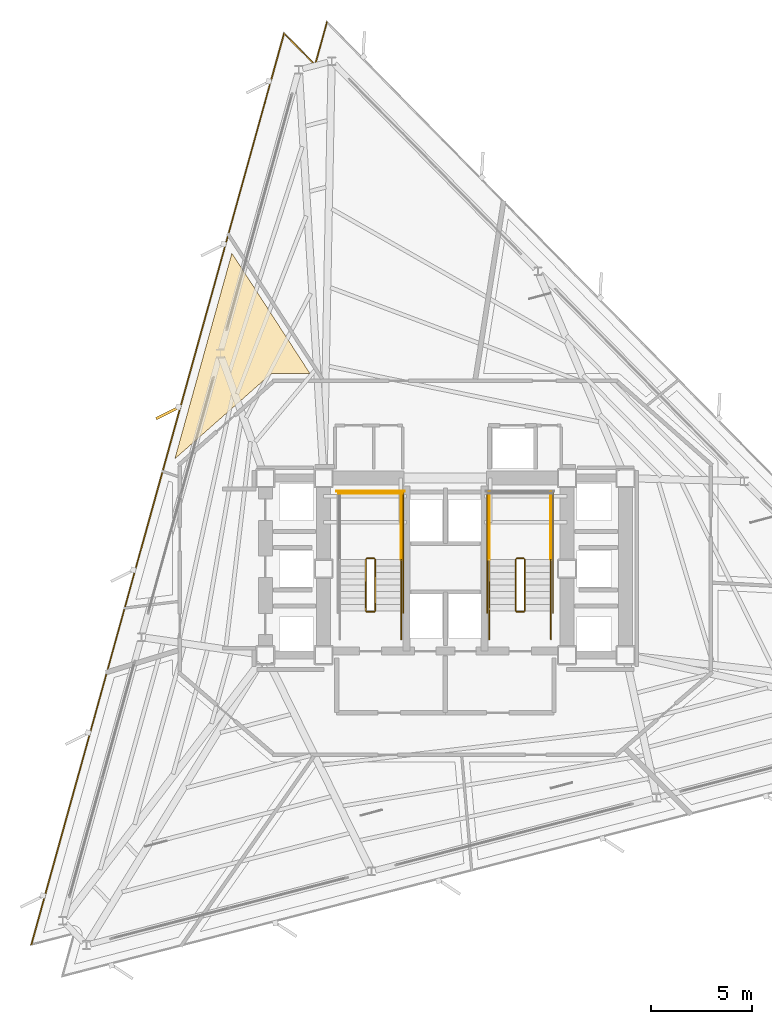
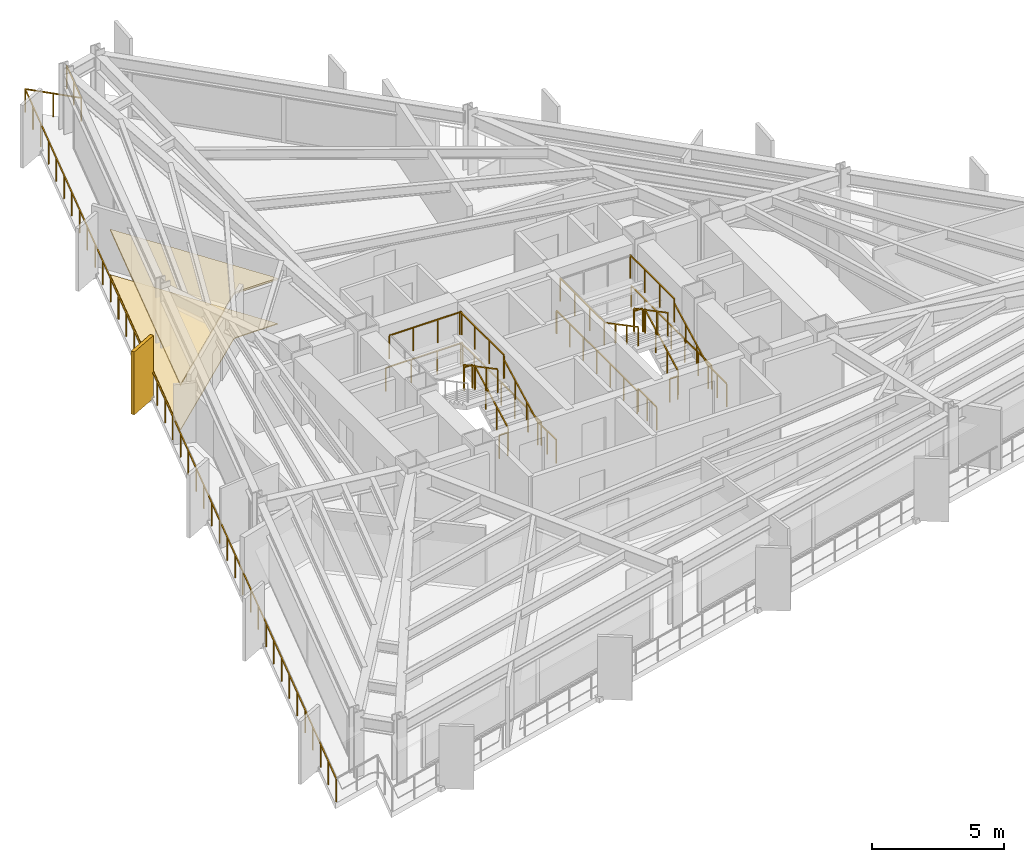
# One storey, part 10 of 11: 23 railings, 2 coverings, 1 shading device.
"""IFC4 building model written with IfcOpenShell, lengths in metres."""

from ifc_helpers import new_model, si_unit, direction, frame, origin, origin_2d, place, context, subcontext, project, spatial, polyline, rectangle, outline, extrude, material, layer, layer_set, type_object, element, save


model = new_model("IFC4")

# Units and contexts
model_context = context("Model", 3, precision=1e-05, world=origin(), true_north=direction((0.0, 1.0)))
body_context = subcontext(model_context, "Body", "Model", "MODEL_VIEW")
ifc_project = project(units=[si_unit("LENGTHUNIT", "METRE"), si_unit("AREAUNIT", "SQUARE_METRE"), si_unit("VOLUMEUNIT", "CUBIC_METRE"), si_unit("PLANEANGLEUNIT", "RADIAN"), si_unit("MASSUNIT", "GRAM", prefix="KILO")], contexts=[model_context])

# Site, building, storey
site_placement = place(None, origin())
site = spatial("IfcSite", under=ifc_project, at=site_placement, CompositionType="ELEMENT")
building_placement = place(site_placement, origin())
building = spatial("IfcBuilding", under=site, at=building_placement, Name="Rocaltana Carrier Exchange", CompositionType="ELEMENT")
storey_placement = place(building_placement, frame((0.0, 0.0, 94.719970703125)))
storey = spatial("IfcBuildingStorey", under=building, at=storey_placement, Name="L29", CompositionType="ELEMENT", Elevation=94.719970703125)

# Coverings
ifc_material_1 = material(Name="Honed Bogota Sandstone Tile", Category="masonry")
ifc_layer_1 = layer(ifc_material_1, 0.0400390625)
ifc_layer_set_1 = layer_set([ifc_layer_1], Name="Honed Bogota Sandstone Tile")
covering_type_1 = type_object("IfcCoveringType", Name="Honed Stone Lobby Flooring 40", PredefinedType="FLOORING", material=ifc_layer_set_1)
covering_1_placement = place(storey_placement, origin())
element("IfcCovering", 1, at=covering_1_placement, inside=storey, type_object=covering_type_1, Name="L29 Carrier Peering Suite Finish Floor", PredefinedType="FLOORING", context=body_context, shape_type="SweptSolid", body=[
    extrude(outline(polyline([(-13.4443359375, 5.464111328125), (-10.611572265625, 15.67919921875), (-6.735107421875, 9.7099609375), (-8.5, 9.7099609375), (-8.514404296875, 9.709716796875), (-8.522705078125, 9.709228515625), (-8.551513671875, 9.706298828125), (-8.5595703125, 9.704833984375), (-8.587890625, 9.698974609375), (-8.595947265625, 9.697021484375), (-8.62353515625, 9.68798828125), (-8.631103515625, 9.68505859375), (-8.65771484375, 9.673583984375), (-8.6650390625, 9.669921875), (-8.690185546875, 9.655517578125), (-8.697265625, 9.651123046875), (-8.720703125, 9.63427734375), (-8.727294921875, 9.629150390625), (-8.73828125, 9.619873046875), (-13.438232421875, 5.469970703125), (-13.4443359375, 5.464111328125)])), origin(), (0.0, 0.0, 1.0), 0.0400390625),
])
ifc_material_2 = material(Name="Anodised Aluminium 6063-T6", Category="aluminium")
ifc_layer_2 = layer(ifc_material_2, 0.0849609375)
ifc_layer_set_2 = layer_set([ifc_layer_2], Name="Anodised Aluminium 6063-T6")
covering_type_2 = type_object("IfcCoveringType", Name="Linear Baffle Acoustic Ceiling 85", PredefinedType="CEILING", material=ifc_layer_set_2)
covering_2_placement = place(storey_placement, frame((0.0, 0.0, 2.052978515625)))
element("IfcCovering", 2, at=covering_2_placement, inside=storey, type_object=covering_type_2, Name="L29 Carrier Peering Suite Acoustic Ceiling", PredefinedType="CEILING", context=body_context, shape_type="SweptSolid", body=[
    extrude(outline(polyline([(-13.4443359375, 5.464111328125), (-10.611572265625, 15.67919921875), (-6.735107421875, 9.7099609375), (-8.5, 9.7099609375), (-8.514404296875, 9.709716796875), (-8.522705078125, 9.709228515625), (-8.551513671875, 9.706298828125), (-8.5595703125, 9.704833984375), (-8.587890625, 9.698974609375), (-8.595947265625, 9.697021484375), (-8.62353515625, 9.68798828125), (-8.631103515625, 9.68505859375), (-8.65771484375, 9.673583984375), (-8.6650390625, 9.669921875), (-8.690185546875, 9.655517578125), (-8.697265625, 9.651123046875), (-8.720703125, 9.63427734375), (-8.727294921875, 9.629150390625), (-8.73828125, 9.619873046875), (-13.438232421875, 5.469970703125), (-13.4443359375, 5.464111328125)])), origin(), (0.0, 0.0, 1.0), 0.0849609375),
])

# Railings
ifc_material_3 = material(Name="Brushed Architectural Stainless Tube", Category="steel")
ifc_layer_3 = layer(ifc_material_3, 0.048095703125)
ifc_layer_set_3 = layer_set([ifc_layer_3], Name="Brushed Architectural Stainless Tube")
railing_type_1 = type_object("IfcRailingType", Name="Stair Wall Handrail 920", PredefinedType="HANDRAIL", material=ifc_layer_set_3)
for number, where, name in (
    (3, (-2.18994140625, -2.10009765625, 0.1689453125), "L29 ST-1 stair handrail 1"),
    (4, (5.25, -2.10009765625, 0.1689453125), "L29 ST-2 stair handrail 1"),
):
    element("IfcRailing", number, at=place(storey_placement, frame(where)), inside=storey, type_object=railing_type_1, Name=name, PredefinedType="HANDRAIL", context=body_context, shape_type="SweptSolid", body=[
        extrude(rectangle(XDim=0.048095703125, YDim=0.048095703125, at=origin_2d()), frame((0.0, 0.0, 0.8759765625), z_axis=(0.0, 0.884394423565, 0.466740295633), x_axis=(-1.0, 0.0, 0.0)), (0.0, 0.0, 1.0), 2.894775390625),
        extrude(rectangle(XDim=0.0419921875, YDim=0.0419921875, at=origin_2d()), origin(), (0.0, 0.0, 1.0), 0.851806640625),
        extrude(rectangle(XDim=0.0419921875, YDim=0.0419921875, at=origin_2d()), frame((0.0, 0.853271484375, 0.450439453125)), (0.0, 0.0, 1.0), 0.851806640625),
        extrude(rectangle(XDim=0.0419921875, YDim=0.0419921875, at=origin_2d()), frame((0.0, 1.706787109375, 0.900634765625)), (0.0, 0.0, 1.0), 0.851806640625),
        extrude(rectangle(XDim=0.0419921875, YDim=0.0419921875, at=origin_2d()), frame((0.0, 2.56005859375, 1.35107421875)), (0.0, 0.0, 1.0), 0.851806640625),
    ])
railing_1_placement = place(storey_placement, frame((2.18994140625, 0.4599609375, 1.68896484375)))
element("IfcRailing", 5, at=railing_1_placement, inside=storey, type_object=railing_type_1, Name="L29 ST-2 stair handrail 2", PredefinedType="HANDRAIL", context=body_context, shape_type="SweptSolid", body=[
    extrude(rectangle(XDim=0.048095703125, YDim=0.048095703125, at=origin_2d()), frame((0.0, 0.0, 0.8759765625), z_axis=(0.0, -0.884394423565, 0.466740295633), x_axis=(1.0, 0.0, 0.0)), (0.0, 0.0, 1.0), 2.894775390625),
    extrude(rectangle(XDim=0.0419921875, YDim=0.0419921875, at=origin_2d()), origin(), (0.0, 0.0, 1.0), 0.851806640625),
    extrude(rectangle(XDim=0.0419921875, YDim=0.0419921875, at=origin_2d()), frame((0.0, -0.853271484375, 0.450439453125)), (0.0, 0.0, 1.0), 0.851806640625),
    extrude(rectangle(XDim=0.0419921875, YDim=0.0419921875, at=origin_2d()), frame((0.0, -1.706787109375, 0.900634765625)), (0.0, 0.0, 1.0), 0.851806640625),
    extrude(rectangle(XDim=0.0419921875, YDim=0.0419921875, at=origin_2d()), frame((0.0, -2.56005859375, 1.35107421875)), (0.0, 0.0, 1.0), 0.851806640625),
])
ifc_material_4 = material(Name="Powder-Coated Aluminium 6063-T6", Category="aluminium")
ifc_layer_4 = layer(ifc_material_4, 0.048095703125)
ifc_layer_set_4 = layer_set([ifc_layer_4], Name="Powder-Coated Aluminium 6063-T6")
railing_type_2 = type_object("IfcRailingType", Name="Stair Well Guardrail 1100", PredefinedType="GUARDRAIL", material=ifc_layer_set_4)
railing_2_placement = place(storey_placement, frame((-3.489990234375, -2.10009765625, 0.1689453125)))
element("IfcRailing", 6, at=railing_2_placement, inside=storey, type_object=railing_type_2, Name="L29 ST-1 stair guard 1", PredefinedType="GUARDRAIL", context=body_context, shape_type="SweptSolid", body=[
    extrude(rectangle(XDim=0.048095703125, YDim=0.048095703125, at=origin_2d()), frame((0.0, 0.0, 1.076171875), z_axis=(0.0, 0.884394423565, 0.466740295633), x_axis=(-1.0, 0.0, 0.0)), (0.0, 0.0, 1.0), 2.894775390625),
    extrude(rectangle(XDim=0.0419921875, YDim=0.0419921875, at=origin_2d()), origin(), (0.0, 0.0, 1.0), 1.052001953125),
    extrude(rectangle(XDim=0.0419921875, YDim=0.0419921875, at=origin_2d()), frame((0.0, 0.853271484375, 0.450439453125)), (0.0, 0.0, 1.0), 1.052001953125),
    extrude(rectangle(XDim=0.0419921875, YDim=0.0419921875, at=origin_2d()), frame((0.0, 1.706787109375, 0.900634765625)), (0.0, 0.0, 1.0), 1.052001953125),
    extrude(rectangle(XDim=0.0419921875, YDim=0.0419921875, at=origin_2d()), frame((0.0, 2.56005859375, 1.35107421875)), (0.0, 0.0, 1.0), 1.052001953125),
])
railing_3_placement = place(storey_placement, frame((-3.5400390625, 0.510009765625, 1.52001953125)))
element("IfcRailing", 7, at=railing_3_placement, inside=storey, type_object=railing_type_2, Name="L29 ST-1 stair guard 2", PredefinedType="GUARDRAIL", context=body_context, shape_type="SweptSolid", body=[
    extrude(rectangle(XDim=0.048095703125, YDim=0.048095703125, at=origin_2d()), frame((0.0, 0.0, 1.076171875), z_axis=(-1.0, 0.0, 0.0), x_axis=(0.0, -1.0, 0.0)), (0.0, 0.0, 1.0), 0.35986328125),
    extrude(rectangle(XDim=0.0419921875, YDim=0.0419921875, at=origin_2d()), origin(), (0.0, 0.0, 1.0), 1.052001953125),
    extrude(rectangle(XDim=0.0419921875, YDim=0.0419921875, at=origin_2d()), frame((-0.35986328125, 0.0, 0.0)), (0.0, 0.0, 1.0), 1.052001953125),
])
railing_4_placement = place(storey_placement, frame((-2.18994140625, 0.4599609375, 1.52001953125)))
element("IfcRailing", 8, at=railing_4_placement, inside=storey, type_object=railing_type_2, Name="L29 ST-1 stair guard 3", PredefinedType="GUARDRAIL", context=body_context, shape_type="SweptSolid", body=[
    extrude(rectangle(XDim=0.048095703125, YDim=0.048095703125, at=origin_2d()), frame((0.0, 0.0, 1.076171875), z_axis=(0.0, 1.0, 0.0), x_axis=(-1.0, 0.0, 0.0)), (0.0, 0.0, 1.0), 3.340087890625),
    extrude(rectangle(XDim=0.0419921875, YDim=0.0419921875, at=origin_2d()), origin(), (0.0, 0.0, 1.0), 1.052001953125),
    extrude(rectangle(XDim=0.0419921875, YDim=0.0419921875, at=origin_2d()), frame((0.0, 1.11328125, 0.0)), (0.0, 0.0, 1.0), 1.052001953125),
    extrude(rectangle(XDim=0.0419921875, YDim=0.0419921875, at=origin_2d()), frame((0.0, 2.226806640625, 0.0)), (0.0, 0.0, 1.0), 1.052001953125),
    extrude(rectangle(XDim=0.0419921875, YDim=0.0419921875, at=origin_2d()), frame((0.0, 3.340087890625, 0.0)), (0.0, 0.0, 1.0), 1.052001953125),
])
railing_5_placement = place(storey_placement, frame((-2.139892578125, 3.75, 1.52001953125)))
element("IfcRailing", 9, at=railing_5_placement, inside=storey, type_object=railing_type_2, Name="L29 ST-1 stair guard 5", PredefinedType="GUARDRAIL", context=body_context, shape_type="SweptSolid", body=[
    extrude(rectangle(XDim=0.048095703125, YDim=0.048095703125, at=origin_2d()), frame((0.0, 0.0, 1.076171875), z_axis=(-1.0, 0.0, 0.0), x_axis=(0.0, -1.0, 0.0)), (0.0, 0.0, 1.0), 3.16015625),
    extrude(rectangle(XDim=0.0419921875, YDim=0.0419921875, at=origin_2d()), origin(), (0.0, 0.0, 1.0), 1.052001953125),
    extrude(rectangle(XDim=0.0419921875, YDim=0.0419921875, at=origin_2d()), frame((-1.053466796875, 0.0, 0.0)), (0.0, 0.0, 1.0), 1.052001953125),
    extrude(rectangle(XDim=0.0419921875, YDim=0.0419921875, at=origin_2d()), frame((-2.106689453125, 0.0, 0.0)), (0.0, 0.0, 1.0), 1.052001953125),
    extrude(rectangle(XDim=0.0419921875, YDim=0.0419921875, at=origin_2d()), frame((-3.16015625, 0.0, 0.0)), (0.0, 0.0, 1.0), 1.052001953125),
])
railing_6_placement = place(storey_placement, frame((-3.949951171875, 0.4599609375, 1.68896484375)))
element("IfcRailing", 10, at=railing_6_placement, inside=storey, type_object=railing_type_2, Name="L29 ST-1 stair guard 6", PredefinedType="GUARDRAIL", context=body_context, shape_type="SweptSolid", body=[
    extrude(rectangle(XDim=0.048095703125, YDim=0.048095703125, at=origin_2d()), frame((0.0, 0.0, 1.076171875), z_axis=(0.0, -0.884394423565, 0.466740295633), x_axis=(1.0, 0.0, 0.0)), (0.0, 0.0, 1.0), 2.894775390625),
    extrude(rectangle(XDim=0.0419921875, YDim=0.0419921875, at=origin_2d()), origin(), (0.0, 0.0, 1.0), 1.052001953125),
    extrude(rectangle(XDim=0.0419921875, YDim=0.0419921875, at=origin_2d()), frame((0.0, -0.853271484375, 0.450439453125)), (0.0, 0.0, 1.0), 1.052001953125),
    extrude(rectangle(XDim=0.0419921875, YDim=0.0419921875, at=origin_2d()), frame((0.0, -1.706787109375, 0.900634765625)), (0.0, 0.0, 1.0), 1.052001953125),
    extrude(rectangle(XDim=0.0419921875, YDim=0.0419921875, at=origin_2d()), frame((0.0, -2.56005859375, 1.35107421875)), (0.0, 0.0, 1.0), 1.052001953125),
])
railing_7_placement = place(storey_placement, frame((-3.5400390625, -2.14990234375, 0.0)))
element("IfcRailing", 11, at=railing_7_placement, inside=storey, type_object=railing_type_2, Name="L29 ST-1 stair guard 7", PredefinedType="GUARDRAIL", context=body_context, shape_type="SweptSolid", body=[
    extrude(rectangle(XDim=0.048095703125, YDim=0.048095703125, at=origin_2d()), frame((0.0, 0.0, 1.076171875), z_axis=(-1.0, 0.0, 0.0), x_axis=(0.0, -1.0, 0.0)), (0.0, 0.0, 1.0), 0.35986328125),
    extrude(rectangle(XDim=0.0419921875, YDim=0.0419921875, at=origin_2d()), origin(), (0.0, 0.0, 1.0), 1.052001953125),
    extrude(rectangle(XDim=0.0419921875, YDim=0.0419921875, at=origin_2d()), frame((-0.35986328125, 0.0, 0.0)), (0.0, 0.0, 1.0), 1.052001953125),
])
railing_8_placement = place(storey_placement, frame((-2.18994140625, -3.5, 0.0)))
element("IfcRailing", 12, at=railing_8_placement, inside=storey, type_object=railing_type_2, Name="L29 ST-1 stair guard 8", PredefinedType="GUARDRAIL", context=body_context, shape_type="SweptSolid", body=[
    extrude(rectangle(XDim=0.048095703125, YDim=0.048095703125, at=origin_2d()), frame((0.0, 0.0, 1.076171875), z_axis=(0.0, 1.0, 0.0), x_axis=(-1.0, 0.0, 0.0)), (0.0, 0.0, 1.0), 1.39990234375),
    extrude(rectangle(XDim=0.0419921875, YDim=0.0419921875, at=origin_2d()), origin(), (0.0, 0.0, 1.0), 1.052001953125),
    extrude(rectangle(XDim=0.0419921875, YDim=0.0419921875, at=origin_2d()), frame((0.0, 0.699951171875, 0.0)), (0.0, 0.0, 1.0), 1.052001953125),
    extrude(rectangle(XDim=0.0419921875, YDim=0.0419921875, at=origin_2d()), frame((0.0, 1.39990234375, 0.0)), (0.0, 0.0, 1.0), 1.052001953125),
])
railing_9_placement = place(storey_placement, frame((-2.090087890625, -2.199951171875, 0.0)))
element("IfcRailing", 13, at=railing_9_placement, inside=storey, type_object=railing_type_2, Name="L29 ST-1 stair guard 10", PredefinedType="GUARDRAIL", context=body_context, shape_type="SweptSolid", body=[
    extrude(rectangle(XDim=0.048095703125, YDim=0.048095703125, at=origin_2d()), frame((0.0, 0.0, 1.076171875), z_axis=(0.0, 1.0, 0.0), x_axis=(-1.0, 0.0, 0.0)), (0.0, 0.0, 1.0), 6.099853515625),
    extrude(rectangle(XDim=0.0419921875, YDim=0.0419921875, at=origin_2d()), origin(), (0.0, 0.0, 1.0), 1.052001953125),
    extrude(rectangle(XDim=0.0419921875, YDim=0.0419921875, at=origin_2d()), frame((0.0, 1.0166015625, 0.0)), (0.0, 0.0, 1.0), 1.052001953125),
    extrude(rectangle(XDim=0.0419921875, YDim=0.0419921875, at=origin_2d()), frame((0.0, 2.033203125, 0.0)), (0.0, 0.0, 1.0), 1.052001953125),
    extrude(rectangle(XDim=0.0419921875, YDim=0.0419921875, at=origin_2d()), frame((0.0, 3.0498046875, 0.0)), (0.0, 0.0, 1.0), 1.052001953125),
    extrude(rectangle(XDim=0.0419921875, YDim=0.0419921875, at=origin_2d()), frame((0.0, 4.066650390625, 0.0)), (0.0, 0.0, 1.0), 1.052001953125),
    extrude(rectangle(XDim=0.0419921875, YDim=0.0419921875, at=origin_2d()), frame((0.0, 5.083251953125, 0.0)), (0.0, 0.0, 1.0), 1.052001953125),
    extrude(rectangle(XDim=0.0419921875, YDim=0.0419921875, at=origin_2d()), frame((0.0, 6.099853515625, 0.0)), (0.0, 0.0, 1.0), 1.052001953125),
])
railing_10_placement = place(storey_placement, frame((-2.0400390625, 3.85009765625, 0.0)))
element("IfcRailing", 14, at=railing_10_placement, inside=storey, type_object=railing_type_2, Name="L29 ST-1 stair guard 12", PredefinedType="GUARDRAIL", context=body_context, shape_type="SweptSolid", body=[
    extrude(rectangle(XDim=0.048095703125, YDim=0.048095703125, at=origin_2d()), frame((0.0, 0.0, 1.076171875), z_axis=(-1.0, 0.0, 0.0), x_axis=(0.0, -1.0, 0.0)), (0.0, 0.0, 1.0), 3.35986328125),
    extrude(rectangle(XDim=0.0419921875, YDim=0.0419921875, at=origin_2d()), origin(), (0.0, 0.0, 1.0), 1.052001953125),
    extrude(rectangle(XDim=0.0419921875, YDim=0.0419921875, at=origin_2d()), frame((-1.119873046875, 0.0, 0.0)), (0.0, 0.0, 1.0), 1.052001953125),
    extrude(rectangle(XDim=0.0419921875, YDim=0.0419921875, at=origin_2d()), frame((-2.239990234375, 0.0, 0.0)), (0.0, 0.0, 1.0), 1.052001953125),
    extrude(rectangle(XDim=0.0419921875, YDim=0.0419921875, at=origin_2d()), frame((-3.35986328125, 0.0, 0.0)), (0.0, 0.0, 1.0), 1.052001953125),
])
railing_11_placement = place(storey_placement, frame((3.949951171875, -2.10009765625, 0.1689453125)))
element("IfcRailing", 15, at=railing_11_placement, inside=storey, type_object=railing_type_2, Name="L29 ST-2 stair guard 1", PredefinedType="GUARDRAIL", context=body_context, shape_type="SweptSolid", body=[
    extrude(rectangle(XDim=0.048095703125, YDim=0.048095703125, at=origin_2d()), frame((0.0, 0.0, 1.076171875), z_axis=(0.0, 0.884394423565, 0.466740295633), x_axis=(-1.0, 0.0, 0.0)), (0.0, 0.0, 1.0), 2.894775390625),
    extrude(rectangle(XDim=0.0419921875, YDim=0.0419921875, at=origin_2d()), origin(), (0.0, 0.0, 1.0), 1.052001953125),
    extrude(rectangle(XDim=0.0419921875, YDim=0.0419921875, at=origin_2d()), frame((0.0, 0.853271484375, 0.450439453125)), (0.0, 0.0, 1.0), 1.052001953125),
    extrude(rectangle(XDim=0.0419921875, YDim=0.0419921875, at=origin_2d()), frame((0.0, 1.706787109375, 0.900634765625)), (0.0, 0.0, 1.0), 1.052001953125),
    extrude(rectangle(XDim=0.0419921875, YDim=0.0419921875, at=origin_2d()), frame((0.0, 2.56005859375, 1.35107421875)), (0.0, 0.0, 1.0), 1.052001953125),
])
railing_12_placement = place(storey_placement, frame((3.89990234375, 0.510009765625, 1.52001953125)))
element("IfcRailing", 16, at=railing_12_placement, inside=storey, type_object=railing_type_2, Name="L29 ST-2 stair guard 2", PredefinedType="GUARDRAIL", context=body_context, shape_type="SweptSolid", body=[
    extrude(rectangle(XDim=0.048095703125, YDim=0.048095703125, at=origin_2d()), frame((0.0, 0.0, 1.076171875), z_axis=(-1.0, 0.0, 0.0), x_axis=(0.0, -1.0, 0.0)), (0.0, 0.0, 1.0), 0.35986328125),
    extrude(rectangle(XDim=0.0419921875, YDim=0.0419921875, at=origin_2d()), origin(), (0.0, 0.0, 1.0), 1.052001953125),
    extrude(rectangle(XDim=0.0419921875, YDim=0.0419921875, at=origin_2d()), frame((-0.35986328125, 0.0, 0.0)), (0.0, 0.0, 1.0), 1.052001953125),
])
for number, where, name in (
    (17, (5.25, 0.4599609375, 1.52001953125), "L29 ST-2 stair guard 3"),
    (18, (2.18994140625, 0.4599609375, 1.52001953125), "L29 ST-2 stair guard 4"),
):
    element("IfcRailing", number, at=place(storey_placement, frame(where)), inside=storey, type_object=railing_type_2, Name=name, PredefinedType="GUARDRAIL", context=body_context, shape_type="SweptSolid", body=[
        extrude(rectangle(XDim=0.048095703125, YDim=0.048095703125, at=origin_2d()), frame((0.0, 0.0, 1.076171875), z_axis=(0.0, 1.0, 0.0), x_axis=(-1.0, 0.0, 0.0)), (0.0, 0.0, 1.0), 3.340087890625),
        extrude(rectangle(XDim=0.0419921875, YDim=0.0419921875, at=origin_2d()), origin(), (0.0, 0.0, 1.0), 1.052001953125),
        extrude(rectangle(XDim=0.0419921875, YDim=0.0419921875, at=origin_2d()), frame((0.0, 1.11328125, 0.0)), (0.0, 0.0, 1.0), 1.052001953125),
        extrude(rectangle(XDim=0.0419921875, YDim=0.0419921875, at=origin_2d()), frame((0.0, 2.226806640625, 0.0)), (0.0, 0.0, 1.0), 1.052001953125),
        extrude(rectangle(XDim=0.0419921875, YDim=0.0419921875, at=origin_2d()), frame((0.0, 3.340087890625, 0.0)), (0.0, 0.0, 1.0), 1.052001953125),
    ])
railing_13_placement = place(storey_placement, frame((3.489990234375, 0.4599609375, 1.68896484375)))
element("IfcRailing", 19, at=railing_13_placement, inside=storey, type_object=railing_type_2, Name="L29 ST-2 stair guard 6", PredefinedType="GUARDRAIL", context=body_context, shape_type="SweptSolid", body=[
    extrude(rectangle(XDim=0.048095703125, YDim=0.048095703125, at=origin_2d()), frame((0.0, 0.0, 1.076171875), z_axis=(0.0, -0.884394423565, 0.466740295633), x_axis=(1.0, 0.0, 0.0)), (0.0, 0.0, 1.0), 2.894775390625),
    extrude(rectangle(XDim=0.0419921875, YDim=0.0419921875, at=origin_2d()), origin(), (0.0, 0.0, 1.0), 1.052001953125),
    extrude(rectangle(XDim=0.0419921875, YDim=0.0419921875, at=origin_2d()), frame((0.0, -0.853271484375, 0.450439453125)), (0.0, 0.0, 1.0), 1.052001953125),
    extrude(rectangle(XDim=0.0419921875, YDim=0.0419921875, at=origin_2d()), frame((0.0, -1.706787109375, 0.900634765625)), (0.0, 0.0, 1.0), 1.052001953125),
    extrude(rectangle(XDim=0.0419921875, YDim=0.0419921875, at=origin_2d()), frame((0.0, -2.56005859375, 1.35107421875)), (0.0, 0.0, 1.0), 1.052001953125),
])
railing_14_placement = place(storey_placement, frame((3.89990234375, -2.14990234375, 0.0)))
element("IfcRailing", 20, at=railing_14_placement, inside=storey, type_object=railing_type_2, Name="L29 ST-2 stair guard 7", PredefinedType="GUARDRAIL", context=body_context, shape_type="SweptSolid", body=[
    extrude(rectangle(XDim=0.048095703125, YDim=0.048095703125, at=origin_2d()), frame((0.0, 0.0, 1.076171875), z_axis=(-1.0, 0.0, 0.0), x_axis=(0.0, -1.0, 0.0)), (0.0, 0.0, 1.0), 0.35986328125),
    extrude(rectangle(XDim=0.0419921875, YDim=0.0419921875, at=origin_2d()), origin(), (0.0, 0.0, 1.0), 1.052001953125),
    extrude(rectangle(XDim=0.0419921875, YDim=0.0419921875, at=origin_2d()), frame((-0.35986328125, 0.0, 0.0)), (0.0, 0.0, 1.0), 1.052001953125),
])
for number, where, name in (
    (21, (5.25, -3.5, 0.0), "L29 ST-2 stair guard 8"),
    (22, (2.18994140625, -3.5, 0.0), "L29 ST-2 stair guard 9"),
):
    element("IfcRailing", number, at=place(storey_placement, frame(where)), inside=storey, type_object=railing_type_2, Name=name, PredefinedType="GUARDRAIL", context=body_context, shape_type="SweptSolid", body=[
        extrude(rectangle(XDim=0.048095703125, YDim=0.048095703125, at=origin_2d()), frame((0.0, 0.0, 1.076171875), z_axis=(0.0, 1.0, 0.0), x_axis=(-1.0, 0.0, 0.0)), (0.0, 0.0, 1.0), 1.39990234375),
        extrude(rectangle(XDim=0.0419921875, YDim=0.0419921875, at=origin_2d()), origin(), (0.0, 0.0, 1.0), 1.052001953125),
        extrude(rectangle(XDim=0.0419921875, YDim=0.0419921875, at=origin_2d()), frame((0.0, 0.699951171875, 0.0)), (0.0, 0.0, 1.0), 1.052001953125),
        extrude(rectangle(XDim=0.0419921875, YDim=0.0419921875, at=origin_2d()), frame((0.0, 1.39990234375, 0.0)), (0.0, 0.0, 1.0), 1.052001953125),
    ])
for number, where, name in (
    (23, (5.35009765625, -2.199951171875, 0.0), "L29 ST-2 stair guard 10"),
    (24, (2.090087890625, -2.199951171875, 0.0), "L29 ST-2 stair guard 11"),
):
    element("IfcRailing", number, at=place(storey_placement, frame(where)), inside=storey, type_object=railing_type_2, Name=name, PredefinedType="GUARDRAIL", context=body_context, shape_type="SweptSolid", body=[
        extrude(rectangle(XDim=0.048095703125, YDim=0.048095703125, at=origin_2d()), frame((0.0, 0.0, 1.076171875), z_axis=(0.0, 1.0, 0.0), x_axis=(-1.0, 0.0, 0.0)), (0.0, 0.0, 1.0), 6.099853515625),
        extrude(rectangle(XDim=0.0419921875, YDim=0.0419921875, at=origin_2d()), origin(), (0.0, 0.0, 1.0), 1.052001953125),
        extrude(rectangle(XDim=0.0419921875, YDim=0.0419921875, at=origin_2d()), frame((0.0, 1.0166015625, 0.0)), (0.0, 0.0, 1.0), 1.052001953125),
        extrude(rectangle(XDim=0.0419921875, YDim=0.0419921875, at=origin_2d()), frame((0.0, 2.033203125, 0.0)), (0.0, 0.0, 1.0), 1.052001953125),
        extrude(rectangle(XDim=0.0419921875, YDim=0.0419921875, at=origin_2d()), frame((0.0, 3.0498046875, 0.0)), (0.0, 0.0, 1.0), 1.052001953125),
        extrude(rectangle(XDim=0.0419921875, YDim=0.0419921875, at=origin_2d()), frame((0.0, 4.066650390625, 0.0)), (0.0, 0.0, 1.0), 1.052001953125),
        extrude(rectangle(XDim=0.0419921875, YDim=0.0419921875, at=origin_2d()), frame((0.0, 5.083251953125, 0.0)), (0.0, 0.0, 1.0), 1.052001953125),
        extrude(rectangle(XDim=0.0419921875, YDim=0.0419921875, at=origin_2d()), frame((0.0, 6.099853515625, 0.0)), (0.0, 0.0, 1.0), 1.052001953125),
    ])

# Shading device
ifc_material_5 = material(Name="Honed Bogota Sandstone & Concrete C45/55", Category="masonry")
ifc_layer_5 = layer(ifc_material_5, 0.139892578125)
ifc_layer_set_5 = layer_set([ifc_layer_5], Name="Honed Bogota Sandstone & Concrete C45/55")
shading_device_type = type_object("IfcShadingDeviceType", Name="Vertical Sandstone Shading Fin 1320x140", PredefinedType="USERDEFINED", material=ifc_layer_set_5)
shading_device_placement = place(storey_placement, frame((-13.786376953125, 7.751220703125, -0.1201171875), z_axis=(0.0, 0.0, 1.0), x_axis=(-0.894934361602, -0.44619781311, 0.0)))
element("IfcShadingDevice", 25, at=shading_device_placement, inside=storey, type_object=shading_device_type, Name="L29 Sandstone Vertical Fin F2-03", ObjectType="FIN", PredefinedType="USERDEFINED", context=body_context, shape_type="SweptSolid", body=[
    extrude(rectangle(XDim=1.320068359375, YDim=0.139892578125, at=origin_2d()), origin(), (0.0, 0.0, 1.0), 2.907958984375),
])

# Railing
ifc_material_6 = material(Name="Powder-Coated Aluminium 6063-T6", Category="aluminium")
ifc_layer_6 = layer(ifc_material_6, 0.06005859375)
ifc_layer_set_6 = layer_set([ifc_layer_6], Name="Powder-Coated Aluminium 6063-T6")
railing_type_3 = type_object("IfcRailingType", Name="Wind-Floor & Terrace Perimeter Guardrail 1100", PredefinedType="GUARDRAIL", material=ifc_layer_set_6)
railing_15_placement = place(storey_placement, frame((-20.5751953125, -18.677001953125, 0.0)))
element("IfcRailing", 26, at=railing_15_placement, inside=storey, type_object=railing_type_3, Name="L29 Perimeter Balcony Guardrail 2", PredefinedType="GUARDRAIL", context=body_context, shape_type="SweptSolid", body=[
    extrude(rectangle(XDim=0.048095703125, YDim=0.048095703125, at=origin_2d()), frame((0.0, 0.0, 1.076171875), z_axis=(0.267237621402, 0.963630662499, 0.0), x_axis=(-0.963630662499, 0.267237621402, 0.0)), (0.0, 0.0, 1.0), 46.9921875),
    extrude(rectangle(XDim=0.048095703125, YDim=0.048095703125, at=origin_2d()), frame((12.55810546875, 45.283203125, 1.076171875), z_axis=(0.700920820206, -0.713239093012, 0.0), x_axis=(0.713239093012, 0.700920820206, 0.0)), (0.0, 0.0, 1.0), 2.199951171875),
    extrude(rectangle(XDim=0.048095703125, YDim=0.048095703125, at=origin_2d()), frame((14.10009765625, 43.714111328125, 1.076171875), z_axis=(0.267237446942, 0.96363071088, 0.0), x_axis=(-0.96363071088, 0.267237446942, 0.0)), (0.0, 0.0, 1.0), 2.199951171875),
    extrude(rectangle(XDim=0.0419921875, YDim=0.0419921875, at=origin_2d()), origin(), (0.0, 0.0, 1.0), 1.052001953125),
    extrude(rectangle(XDim=0.0419921875, YDim=0.0419921875, at=origin_2d()), frame((0.31396484375, 1.132080078125, 0.0)), (0.0, 0.0, 1.0), 1.052001953125),
    extrude(rectangle(XDim=0.0419921875, YDim=0.0419921875, at=origin_2d()), frame((0.6279296875, 2.26416015625, 0.0)), (0.0, 0.0, 1.0), 1.052001953125),
    extrude(rectangle(XDim=0.0419921875, YDim=0.0419921875, at=origin_2d()), frame((0.94189453125, 3.396240234375, 0.0)), (0.0, 0.0, 1.0), 1.052001953125),
    extrude(rectangle(XDim=0.0419921875, YDim=0.0419921875, at=origin_2d()), frame((1.255859375, 4.5283203125, 0.0)), (0.0, 0.0, 1.0), 1.052001953125),
    extrude(rectangle(XDim=0.0419921875, YDim=0.0419921875, at=origin_2d()), frame((1.56982421875, 5.660400390625, 0.0)), (0.0, 0.0, 1.0), 1.052001953125),
    extrude(rectangle(XDim=0.0419921875, YDim=0.0419921875, at=origin_2d()), frame((1.8837890625, 6.79248046875, 0.0)), (0.0, 0.0, 1.0), 1.052001953125),
    extrude(rectangle(XDim=0.0419921875, YDim=0.0419921875, at=origin_2d()), frame((2.19775390625, 7.924560546875, 0.0)), (0.0, 0.0, 1.0), 1.052001953125),
    extrude(rectangle(XDim=0.0419921875, YDim=0.0419921875, at=origin_2d()), frame((2.51171875, 9.056640625, 0.0)), (0.0, 0.0, 1.0), 1.052001953125),
    extrude(rectangle(XDim=0.0419921875, YDim=0.0419921875, at=origin_2d()), frame((2.82568359375, 10.188720703125, 0.0)), (0.0, 0.0, 1.0), 1.052001953125),
    extrude(rectangle(XDim=0.0419921875, YDim=0.0419921875, at=origin_2d()), frame((3.1396484375, 11.32080078125, 0.0)), (0.0, 0.0, 1.0), 1.052001953125),
    extrude(rectangle(XDim=0.0419921875, YDim=0.0419921875, at=origin_2d()), frame((3.453369140625, 12.452880859375, 0.0)), (0.0, 0.0, 1.0), 1.052001953125),
    extrude(rectangle(XDim=0.0419921875, YDim=0.0419921875, at=origin_2d()), frame((3.767333984375, 13.5849609375, 0.0)), (0.0, 0.0, 1.0), 1.052001953125),
    extrude(rectangle(XDim=0.0419921875, YDim=0.0419921875, at=origin_2d()), frame((4.081298828125, 14.717041015625, 0.0)), (0.0, 0.0, 1.0), 1.052001953125),
    extrude(rectangle(XDim=0.0419921875, YDim=0.0419921875, at=origin_2d()), frame((4.395263671875, 15.84912109375, 0.0)), (0.0, 0.0, 1.0), 1.052001953125),
    extrude(rectangle(XDim=0.0419921875, YDim=0.0419921875, at=origin_2d()), frame((4.709228515625, 16.981201171875, 0.0)), (0.0, 0.0, 1.0), 1.052001953125),
    extrude(rectangle(XDim=0.0419921875, YDim=0.0419921875, at=origin_2d()), frame((5.023193359375, 18.11328125, 0.0)), (0.0, 0.0, 1.0), 1.052001953125),
    extrude(rectangle(XDim=0.0419921875, YDim=0.0419921875, at=origin_2d()), frame((5.337158203125, 19.245361328125, 0.0)), (0.0, 0.0, 1.0), 1.052001953125),
    extrude(rectangle(XDim=0.0419921875, YDim=0.0419921875, at=origin_2d()), frame((5.651123046875, 20.37744140625, 0.0)), (0.0, 0.0, 1.0), 1.052001953125),
    extrude(rectangle(XDim=0.0419921875, YDim=0.0419921875, at=origin_2d()), frame((5.965087890625, 21.509521484375, 0.0)), (0.0, 0.0, 1.0), 1.052001953125),
    extrude(rectangle(XDim=0.0419921875, YDim=0.0419921875, at=origin_2d()), frame((6.279052734375, 22.6416015625, 0.0)), (0.0, 0.0, 1.0), 1.052001953125),
    extrude(rectangle(XDim=0.0419921875, YDim=0.0419921875, at=origin_2d()), frame((6.593017578125, 23.773681640625, 0.0)), (0.0, 0.0, 1.0), 1.052001953125),
    extrude(rectangle(XDim=0.0419921875, YDim=0.0419921875, at=origin_2d()), frame((6.906982421875, 24.90576171875, 0.0)), (0.0, 0.0, 1.0), 1.052001953125),
    extrude(rectangle(XDim=0.0419921875, YDim=0.0419921875, at=origin_2d()), frame((7.220947265625, 26.037841796875, 0.0)), (0.0, 0.0, 1.0), 1.052001953125),
    extrude(rectangle(XDim=0.0419921875, YDim=0.0419921875, at=origin_2d()), frame((7.534912109375, 27.169921875, 0.0)), (0.0, 0.0, 1.0), 1.052001953125),
    extrude(rectangle(XDim=0.0419921875, YDim=0.0419921875, at=origin_2d()), frame((7.848876953125, 28.302001953125, 0.0)), (0.0, 0.0, 1.0), 1.052001953125),
    extrude(rectangle(XDim=0.0419921875, YDim=0.0419921875, at=origin_2d()), frame((8.162841796875, 29.43408203125, 0.0)), (0.0, 0.0, 1.0), 1.052001953125),
    extrude(rectangle(XDim=0.0419921875, YDim=0.0419921875, at=origin_2d()), frame((8.476806640625, 30.566162109375, 0.0)), (0.0, 0.0, 1.0), 1.052001953125),
    extrude(rectangle(XDim=0.0419921875, YDim=0.0419921875, at=origin_2d()), frame((8.790771484375, 31.6982421875, 0.0)), (0.0, 0.0, 1.0), 1.052001953125),
    extrude(rectangle(XDim=0.0419921875, YDim=0.0419921875, at=origin_2d()), frame((9.104736328125, 32.830322265625, 0.0)), (0.0, 0.0, 1.0), 1.052001953125),
    extrude(rectangle(XDim=0.0419921875, YDim=0.0419921875, at=origin_2d()), frame((9.41845703125, 33.96240234375, 0.0)), (0.0, 0.0, 1.0), 1.052001953125),
    extrude(rectangle(XDim=0.0419921875, YDim=0.0419921875, at=origin_2d()), frame((9.732421875, 35.094482421875, 0.0)), (0.0, 0.0, 1.0), 1.052001953125),
    extrude(rectangle(XDim=0.0419921875, YDim=0.0419921875, at=origin_2d()), frame((10.04638671875, 36.2265625, 0.0)), (0.0, 0.0, 1.0), 1.052001953125),
    extrude(rectangle(XDim=0.0419921875, YDim=0.0419921875, at=origin_2d()), frame((10.3603515625, 37.358642578125, 0.0)), (0.0, 0.0, 1.0), 1.052001953125),
    extrude(rectangle(XDim=0.0419921875, YDim=0.0419921875, at=origin_2d()), frame((10.67431640625, 38.49072265625, 0.0)), (0.0, 0.0, 1.0), 1.052001953125),
    extrude(rectangle(XDim=0.0419921875, YDim=0.0419921875, at=origin_2d()), frame((10.98828125, 39.622802734375, 0.0)), (0.0, 0.0, 1.0), 1.052001953125),
    extrude(rectangle(XDim=0.0419921875, YDim=0.0419921875, at=origin_2d()), frame((11.30224609375, 40.7548828125, 0.0)), (0.0, 0.0, 1.0), 1.052001953125),
    extrude(rectangle(XDim=0.0419921875, YDim=0.0419921875, at=origin_2d()), frame((11.6162109375, 41.886962890625, 0.0)), (0.0, 0.0, 1.0), 1.052001953125),
    extrude(rectangle(XDim=0.0419921875, YDim=0.0419921875, at=origin_2d()), frame((11.93017578125, 43.01904296875, 0.0)), (0.0, 0.0, 1.0), 1.052001953125),
    extrude(rectangle(XDim=0.0419921875, YDim=0.0419921875, at=origin_2d()), frame((12.244140625, 44.151123046875, 0.0)), (0.0, 0.0, 1.0), 1.052001953125),
    extrude(rectangle(XDim=0.0419921875, YDim=0.0419921875, at=origin_2d()), frame((12.55810546875, 45.283203125, 0.0)), (0.0, 0.0, 1.0), 1.052001953125),
    extrude(rectangle(XDim=0.0419921875, YDim=0.0419921875, at=origin_2d()), frame((13.3291015625, 44.49853515625, 0.0)), (0.0, 0.0, 1.0), 1.052001953125),
    extrude(rectangle(XDim=0.0419921875, YDim=0.0419921875, at=origin_2d()), frame((14.10009765625, 43.714111328125, 0.0)), (0.0, 0.0, 1.0), 1.052001953125),
    extrude(rectangle(XDim=0.0419921875, YDim=0.0419921875, at=origin_2d()), frame((14.39404296875, 44.77392578125, 0.0)), (0.0, 0.0, 1.0), 1.052001953125),
    extrude(rectangle(XDim=0.0419921875, YDim=0.0419921875, at=origin_2d()), frame((14.68798828125, 45.833984375, 0.0)), (0.0, 0.0, 1.0), 1.052001953125),
])

save(model, "model.ifc")
